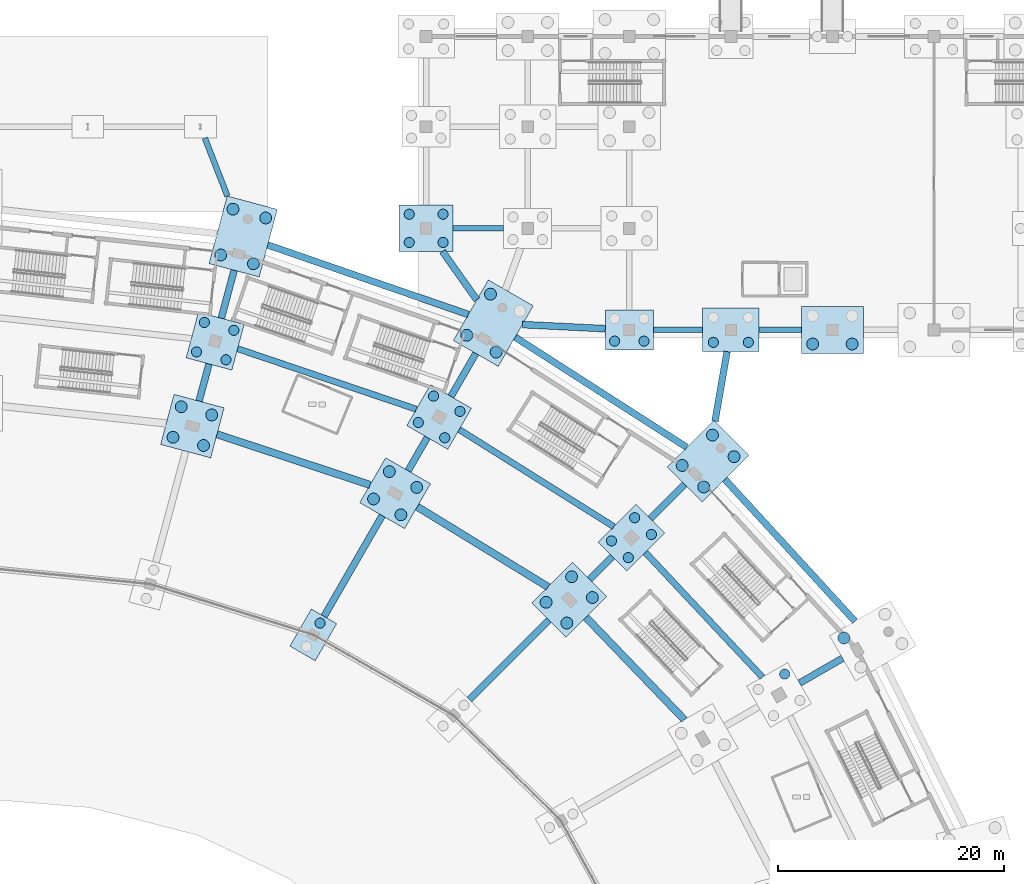
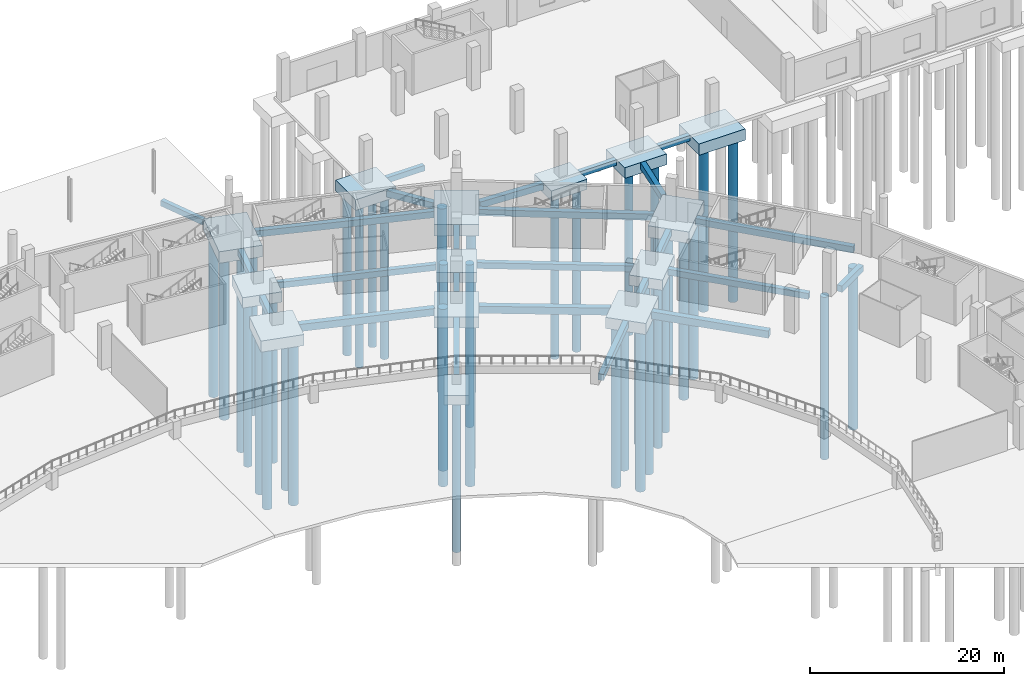
# One storey, part 13 of 103: 48 piles, 39 footings.
"""IFC4 building model written with IfcOpenShell, lengths in metres."""

from ifc_helpers import new_model, si_unit, direction, frame, origin, origin_2d, place, context, subcontext, project, spatial, rectangle, circle, extrude, material, material_profile, profile_set, type_object, element, save


model = new_model("IFC4")

# Units and contexts
model_context = context("Model", 3, precision=1e-05, world=origin(), true_north=direction((0.0, 1.0)))
body_context = subcontext(model_context, "Body", "Model", "MODEL_VIEW")
ifc_project = project(units=[si_unit("LENGTHUNIT", "METRE"), si_unit("AREAUNIT", "SQUARE_METRE"), si_unit("VOLUMEUNIT", "CUBIC_METRE"), si_unit("PLANEANGLEUNIT", "RADIAN"), si_unit("MASSUNIT", "GRAM", prefix="KILO")], contexts=[model_context])

# Site, building, storey
site_placement = place(None, origin())
site = spatial("IfcSite", under=ifc_project, at=site_placement, CompositionType="ELEMENT")
building_placement = place(site_placement, origin())
building = spatial("IfcBuilding", under=site, at=building_placement, Name="Zevraka Park Crest Stadium", CompositionType="ELEMENT")
storey_placement = place(building_placement, origin())
storey = spatial("IfcBuildingStorey", under=building, at=storey_placement, Name="L00", CompositionType="ELEMENT", Elevation=0.0)

# Footings
ifc_material_1 = material(Name="Concrete C35/45", Category="concrete")
ifc_material_profile_1 = material_profile(ifc_material_1, rectangle(XDim=0.60009765625, YDim=0.800048828125, at=origin_2d()), Name="GB 800x600")
ifc_profile_set_1 = profile_set([ifc_material_profile_1], Name="Concrete C35/45")
footing_type_1 = type_object("IfcFootingType", Name="GB01", PredefinedType="FOOTING_BEAM", material=ifc_profile_set_1)
footing_1_placement = place(storey_placement, frame((185.093017578125, 126.699951171875, -0.75), z_axis=(0.866004457284, 0.500036278648, 0.0), x_axis=(-0.500036278648, 0.866004457284, 0.0)))
element("IfcFooting", 1, at=footing_1_placement, inside=storey, type_object=footing_type_1, Name="Ground Tie Beam GB01 RAD-CDE-02", PredefinedType="FOOTING_BEAM", context=body_context, shape_type="SweptSolid", body=[
    extrude(rectangle(XDim=0.60009765625, YDim=0.800048828125, at=origin_2d()), origin(), (0.0, 0.0, 1.0), 4.399658203125),
])
footing_2_placement = place(storey_placement, frame((189.99609375, 132.18603515625, -0.75), z_axis=(-0.675871136653, 0.737019814278, 0.0), x_axis=(-0.737019814278, -0.675871136653, 0.0)))
element("IfcFooting", 2, at=footing_2_placement, inside=storey, type_object=footing_type_1, Name="Ground Tie Beam GB01 CIR-DE-02", PredefinedType="FOOTING_BEAM", context=body_context, shape_type="SweptSolid", body=[
    extrude(rectangle(XDim=0.60009765625, YDim=0.800048828125, at=origin_2d()), origin(), (0.0, 0.0, 1.0), 17.05224609375),
])
footing_3_placement = place(storey_placement, frame((155.840087890625, 125.23388671875, -0.75), z_axis=(0.707094513227, 0.707119048933, 0.0), x_axis=(-0.707119048933, 0.707094513227, 0.0)))
element("IfcFooting", 3, at=footing_3_placement, inside=storey, type_object=footing_type_1, Name="Ground Tie Beam GB01 RAD-AB-03", PredefinedType="FOOTING_BEAM", context=body_context, shape_type="SweptSolid", body=[
    extrude(rectangle(XDim=0.60009765625, YDim=0.800048828125, at=origin_2d()), origin(), (0.0, 0.0, 1.0), 9.950439453125),
])
footing_4_placement = place(storey_placement, frame((166.48193359375, 135.8759765625, -0.75), z_axis=(0.707106781187, 0.707106781187, 0.0), x_axis=(-0.707106781187, 0.707106781187, 0.0)))
element("IfcFooting", 4, at=footing_4_placement, inside=storey, type_object=footing_type_1, Name="Ground Tie Beam GB01 RAD-BC-03", PredefinedType="FOOTING_BEAM", context=body_context, shape_type="SweptSolid", body=[
    extrude(rectangle(XDim=0.60009765625, YDim=0.800048828125, at=origin_2d()), origin(), (0.0, 0.0, 1.0), 2.875),
])
footing_5_placement = place(storey_placement, frame((171.8740234375, 141.26806640625, -0.75), z_axis=(0.707106781187, 0.707106781187, 0.0), x_axis=(-0.707106781187, 0.707106781187, 0.0)))
element("IfcFooting", 5, at=footing_5_placement, inside=storey, type_object=footing_type_1, Name="Ground Tie Beam GB01 RAD-CDE-03", PredefinedType="FOOTING_BEAM", context=body_context, shape_type="SweptSolid", body=[
    extrude(rectangle(XDim=0.60009765625, YDim=0.800048828125, at=origin_2d()), origin(), (0.0, 0.0, 1.0), 4.300537109375),
])
footing_6_placement = place(storey_placement, frame((175.087890625, 147.593994140625, -0.75), z_axis=(-0.841465111378, 0.540311453084, 0.0), x_axis=(-0.540311453084, -0.841465111378, 0.0)))
element("IfcFooting", 6, at=footing_6_placement, inside=storey, type_object=footing_type_1, Name="Ground Tie Beam GB01 CIR-DE-03", PredefinedType="FOOTING_BEAM", context=body_context, shape_type="SweptSolid", body=[
    extrude(rectangle(XDim=0.60009765625, YDim=0.800048828125, at=origin_2d()), origin(), (0.0, 0.0, 1.0), 18.063720703125),
])
footing_7_placement = place(storey_placement, frame((142.949951171875, 132.615966796875, -0.75), z_axis=(0.499965227428, 0.866045478808, 0.0), x_axis=(-0.866045478808, 0.499965227428, 0.0)))
element("IfcFooting", 7, at=footing_7_placement, inside=storey, type_object=footing_type_1, Name="Ground Tie Beam GB01 RAD-AB-04", PredefinedType="FOOTING_BEAM", context=body_context, shape_type="SweptSolid", body=[
    extrude(rectangle(XDim=0.60009765625, YDim=0.800048828125, at=origin_2d()), origin(), (0.0, 0.0, 1.0), 10.301025390625),
])
footing_8_placement = place(storey_placement, frame((150.39990234375, 145.52099609375, -0.75), z_axis=(0.500093339322, 0.865971507594, 0.0), x_axis=(-0.865971507594, 0.500093339322, 0.0)))
element("IfcFooting", 8, at=footing_8_placement, inside=storey, type_object=footing_type_1, Name="Ground Tie Beam GB01 RAD-BC-04", PredefinedType="FOOTING_BEAM", context=body_context, shape_type="SweptSolid", body=[
    extrude(rectangle(XDim=0.60009765625, YDim=0.800048828125, at=origin_2d()), origin(), (0.0, 0.0, 1.0), 3.399658203125),
])
footing_9_placement = place(storey_placement, frame((154.199951171875, 152.10302734375, -0.75), z_axis=(0.500036278648, 0.866004457284, 0.0), x_axis=(-0.866004457284, 0.500036278648, 0.0)))
element("IfcFooting", 9, at=footing_9_placement, inside=storey, type_object=footing_type_1, Name="Ground Tie Beam GB01 RAD-CDE-04", PredefinedType="FOOTING_BEAM", context=body_context, shape_type="SweptSolid", body=[
    extrude(rectangle(XDim=0.60009765625, YDim=0.800048828125, at=origin_2d()), origin(), (0.0, 0.0, 1.0), 4.399658203125),
])
footing_10_placement = place(storey_placement, frame((155.737060546875, 159.364990234375, -0.75), z_axis=(-0.944869347259, 0.327447578417, 0.0), x_axis=(-0.327447578417, -0.944869347259, 0.0)))
element("IfcFooting", 10, at=footing_10_placement, inside=storey, type_object=footing_type_1, Name="Ground Tie Beam GB01 CIR-DE-04", PredefinedType="FOOTING_BEAM", context=body_context, shape_type="SweptSolid", body=[
    extrude(rectangle(XDim=0.60009765625, YDim=0.800048828125, at=origin_2d()), origin(), (0.0, 0.0, 1.0), 18.808837890625),
])
footing_11_placement = place(storey_placement, frame((131.876953125, 151.695068359375, -0.75), z_axis=(0.258873676752, 0.965911186127, 0.0), x_axis=(-0.965911186127, 0.258873676752, 0.0)))
element("IfcFooting", 11, at=footing_11_placement, inside=storey, type_object=footing_type_1, Name="Ground Tie Beam GB01 RAD-BC-05", PredefinedType="FOOTING_BEAM", context=body_context, shape_type="SweptSolid", body=[
    extrude(rectangle(XDim=0.60009765625, YDim=0.800048828125, at=origin_2d()), origin(), (0.0, 0.0, 1.0), 3.39990234375),
])
footing_12_placement = place(storey_placement, frame((133.844970703125, 159.034912109375, -0.75), z_axis=(0.258639929506, 0.96597380237, 0.0), x_axis=(-0.96597380237, 0.258639929506, 0.0)))
element("IfcFooting", 12, at=footing_12_placement, inside=storey, type_object=footing_type_1, Name="Ground Tie Beam GB01 RAD-CDE-05", PredefinedType="FOOTING_BEAM", context=body_context, shape_type="SweptSolid", body=[
    extrude(rectangle(XDim=0.60009765625, YDim=0.800048828125, at=origin_2d()), origin(), (0.0, 0.0, 1.0), 4.399658203125),
])
footing_13_placement = place(storey_placement, frame((153.451904296875, 164.949951171875, -0.75), z_axis=(0.577930919409, -0.816085689368, 0.0), x_axis=(0.816085689368, 0.577930919409, 0.0)))
element("IfcFooting", 13, at=footing_13_placement, inside=storey, type_object=footing_type_1, Name="Ground Tie Beam GB01 WTIE-17-U", PredefinedType="FOOTING_BEAM", context=body_context, shape_type="SweptSolid", body=[
    extrude(rectangle(XDim=0.60009765625, YDim=0.800048828125, at=origin_2d()), origin(), (0.0, 0.0, 1.0), 5.251708984375),
])
footing_14_placement = place(storey_placement, frame((167.875, 158.10498046875, -0.75), z_axis=(-0.99876695331, 0.049644465711, 0.0), x_axis=(-0.049644465711, -0.99876695331, 0.0)))
element("IfcFooting", 14, at=footing_14_placement, inside=storey, type_object=footing_type_1, Name="Ground Tie Beam GB01 WTIE-19-T", PredefinedType="FOOTING_BEAM", context=body_context, shape_type="SweptSolid", body=[
    extrude(rectangle(XDim=0.60009765625, YDim=0.800048828125, at=origin_2d()), origin(), (0.0, 0.0, 1.0), 7.35205078125),
])
footing_15_placement = place(storey_placement, frame((178.666015625, 156.074951171875, -0.75), z_axis=(-0.170954694411, -0.9852788907, 0.0), x_axis=(0.9852788907, -0.170954694411, 0.0)))
element("IfcFooting", 15, at=footing_15_placement, inside=storey, type_object=footing_type_1, Name="Ground Tie Beam GB01 WTIE-20-T", PredefinedType="FOOTING_BEAM", context=body_context, shape_type="SweptSolid", body=[
    extrude(rectangle(XDim=0.60009765625, YDim=0.800048828125, at=origin_2d()), origin(), (0.0, 0.0, 1.0), 6.26513671875),
])
ifc_material_2 = material(Name="Concrete C35/45", Category="concrete")
ifc_material_profile_2 = material_profile(ifc_material_2, rectangle(XDim=0.5, YDim=0.699951171875, at=origin_2d()), Name="GB 700x500")
ifc_profile_set_2 = profile_set([ifc_material_profile_2], Name="Concrete C35/45")
footing_type_2 = type_object("IfcFootingType", Name="GB02", PredefinedType="FOOTING_BEAM", material=ifc_profile_set_2)
footing_16_placement = place(storey_placement, frame((154.39990234375, 167.0, -0.699951171875), z_axis=(1.0, 0.0, 0.0), x_axis=(0.0, 1.0, 0.0)))
element("IfcFooting", 16, at=footing_16_placement, inside=storey, type_object=footing_type_2, Name="Ground Tie Beam GB02 WX-17-U", PredefinedType="FOOTING_BEAM", context=body_context, shape_type="SweptSolid", body=[
    extrude(rectangle(XDim=0.5, YDim=0.699951171875, at=origin_2d()), origin(), (0.0, 0.0, 1.0), 4.47509765625),
])
footing_17_placement = place(storey_placement, frame((172.125, 158.0, -0.699951171875), z_axis=(1.0, 0.0, 0.0), x_axis=(0.0, 1.0, 0.0)))
element("IfcFooting", 17, at=footing_17_placement, inside=storey, type_object=footing_type_2, Name="Ground Tie Beam GB02 WX-19-T", PredefinedType="FOOTING_BEAM", context=body_context, shape_type="SweptSolid", body=[
    extrude(rectangle(XDim=0.5, YDim=0.699951171875, at=origin_2d()), origin(), (0.0, 0.0, 1.0), 4.375),
])
footing_18_placement = place(storey_placement, frame((181.5, 158.0, -0.699951171875), z_axis=(1.0, 0.0, 0.0), x_axis=(0.0, 1.0, 0.0)))
element("IfcFooting", 18, at=footing_18_placement, inside=storey, type_object=footing_type_2, Name="Ground Tie Beam GB02 WX-20-T", PredefinedType="FOOTING_BEAM", context=body_context, shape_type="SweptSolid", body=[
    extrude(rectangle(XDim=0.5, YDim=0.699951171875, at=origin_2d()), origin(), (0.0, 0.0, 1.0), 3.75),
])
footing_19_placement = place(storey_placement, frame((132.388916015625, 175.0, -0.699951171875), z_axis=(0.362901342111, -0.931827567683, 0.0), x_axis=(0.931827567683, 0.362901342111, 0.0)))
element("IfcFooting", 19, at=footing_19_placement, inside=storey, type_object=footing_type_2, Name="Ground Tie Beam GB02 PADN-E", PredefinedType="FOOTING_BEAM", context=body_context, shape_type="SweptSolid", body=[
    extrude(rectangle(XDim=0.5, YDim=0.699951171875, at=origin_2d()), origin(), (0.0, 0.0, 1.0), 5.513916015625),
])
ifc_material_3 = material(Name="Concrete C35/45", Category="concrete")
ifc_material_profile_3 = material_profile(ifc_material_3, rectangle(XDim=0.64990234375, YDim=0.89990234375, at=origin_2d()), Name="GB 900x650")
ifc_profile_set_3 = profile_set([ifc_material_profile_3], Name="Concrete C35/45")
footing_type_3 = type_object("IfcFootingType", Name="GB03", PredefinedType="FOOTING_BEAM", material=ifc_profile_set_3)
footing_20_placement = place(storey_placement, frame((174.8779296875, 123.4580078125, -0.800048828125), z_axis=(-0.692845501085, 0.721086063952, 0.0), x_axis=(-0.721086063952, -0.692845501085, 0.0)))
element("IfcFooting", 20, at=footing_20_placement, inside=storey, type_object=footing_type_3, Name="Ground Tie Beam GB03 CIR-B-02", PredefinedType="FOOTING_BEAM", context=body_context, shape_type="SweptSolid", body=[
    extrude(rectangle(XDim=0.64990234375, YDim=0.89990234375, at=origin_2d()), origin(), (0.0, 0.0, 1.0), 12.56982421875),
])
footing_21_placement = place(storey_placement, frame((162.7939453125, 135.22802734375, -0.800048828125), z_axis=(-0.852594278308, 0.522573436559, 0.0), x_axis=(-0.522573436559, -0.852594278308, 0.0)))
element("IfcFooting", 21, at=footing_21_placement, inside=storey, type_object=footing_type_3, Name="Ground Tie Beam GB03 CIR-B-03", PredefinedType="FOOTING_BEAM", context=body_context, shape_type="SweptSolid", body=[
    extrude(rectangle(XDim=0.64990234375, YDim=0.89990234375, at=origin_2d()), origin(), (0.0, 0.0, 1.0), 13.58447265625),
])
footing_22_placement = place(storey_placement, frame((147.02001953125, 144.26708984375, -0.800048828125), z_axis=(-0.94941794929, 0.314015218684, 0.0), x_axis=(-0.314015218684, -0.94941794929, 0.0)))
element("IfcFooting", 22, at=footing_22_placement, inside=storey, type_object=footing_type_3, Name="Ground Tie Beam GB03 CIR-B-04", PredefinedType="FOOTING_BEAM", context=body_context, shape_type="SweptSolid", body=[
    extrude(rectangle(XDim=0.64990234375, YDim=0.89990234375, at=origin_2d()), origin(), (0.0, 0.0, 1.0), 14.27294921875),
])
ifc_material_4 = material(Name="Concrete C35/45", Category="concrete")
ifc_material_profile_4 = material_profile(ifc_material_4, rectangle(XDim=0.550048828125, YDim=0.75, at=origin_2d()), Name="GB 750x550")
ifc_profile_set_4 = profile_set([ifc_material_profile_4], Name="Concrete C35/45")
footing_type_4 = type_object("IfcFootingType", Name="GB04", PredefinedType="FOOTING_BEAM", material=ifc_profile_set_4)
footing_23_placement = place(storey_placement, frame((181.798095703125, 127.222900390625, -0.72509765625), z_axis=(-0.684286663636, 0.729213111491, 0.0), x_axis=(-0.729213111491, -0.684286663636, 0.0)))
element("IfcFooting", 23, at=footing_23_placement, inside=storey, type_object=footing_type_4, Name="Ground Tie Beam GB04 CIR-C-02", PredefinedType="FOOTING_BEAM", context=body_context, shape_type="SweptSolid", body=[
    extrude(rectangle(XDim=0.550048828125, YDim=0.75, at=origin_2d()), origin(), (0.0, 0.0, 1.0), 15.156005859375),
])
footing_24_placement = place(storey_placement, frame((168.631103515625, 140.569091796875, -0.72509765625), z_axis=(-0.847033648329, 0.531539272865, 0.0), x_axis=(-0.531539272865, -0.847033648329, 0.0)))
element("IfcFooting", 24, at=footing_24_placement, inside=storey, type_object=footing_type_4, Name="Ground Tie Beam GB04 CIR-C-03", PredefinedType="FOOTING_BEAM", context=body_context, shape_type="SweptSolid", body=[
    extrude(rectangle(XDim=0.550048828125, YDim=0.75, at=origin_2d()), origin(), (0.0, 0.0, 1.0), 16.175537109375),
])
footing_25_placement = place(storey_placement, frame((151.1220703125, 150.970947265625, -0.72509765625), z_axis=(-0.947145577983, 0.32080407433, 0.0), x_axis=(-0.32080407433, -0.947145577983, 0.0)))
element("IfcFooting", 25, at=footing_25_placement, inside=storey, type_object=footing_type_4, Name="Ground Tie Beam GB04 CIR-C-04", PredefinedType="FOOTING_BEAM", context=body_context, shape_type="SweptSolid", body=[
    extrude(rectangle(XDim=0.550048828125, YDim=0.75, at=origin_2d()), origin(), (0.0, 0.0, 1.0), 16.71142578125),
])
ifc_material_5 = material(Name="Concrete C35/45", Category="concrete")
footing_type_5 = type_object("IfcFootingType", Name="PC01", PredefinedType="PILE_CAP", material=ifc_material_5)
footing_26_placement = place(storey_placement, frame((142.0, 130.970947265625, -1.5498046875), z_axis=(0.0, 0.0, 1.0), x_axis=(0.5, 0.866025403784, 0.0)))
element("IfcFooting", 26, at=footing_26_placement, inside=storey, type_object=footing_type_5, Name="Foundation PC01 A-04", PredefinedType="PILE_CAP", context=body_context, shape_type="SweptSolid", body=[
    extrude(rectangle(XDim=3.800048828125, YDim=2.60009765625, at=origin_2d()), origin(), (0.0, 0.0, 1.0), 1.199951171875),
])
ifc_material_6 = material(Name="Concrete C35/45", Category="concrete")
footing_type_6 = type_object("IfcFootingType", Name="PC03", PredefinedType="PILE_CAP", material=ifc_material_6)
for number, where, z_axis, x_axis, name in (
    (27, (149.25, 143.529052734375, -1.75), (0.0, 0.0, 1.0), (0.5, 0.866025403784, 0.0), "Foundation PC03 B-04"),
    (28, (131.281982421875, 149.472900390625, -1.75), (0.0, 0.0, 1.0), (0.258819045103, 0.965925826289, 0.0), "Foundation PC03 B-05"),
):
    element("IfcFooting", number, at=place(storey_placement, frame(where, z_axis=z_axis, x_axis=x_axis)), inside=storey, type_object=footing_type_6, Name=name, PredefinedType="PILE_CAP", context=body_context, shape_type="SweptSolid", body=[
        extrude(rectangle(XDim=4.60009765625, YDim=4.60009765625, at=origin_2d()), origin(), (0.0, 0.0, 1.0), 1.39990234375),
    ])
ifc_material_7 = material(Name="Concrete C35/45", Category="concrete")
footing_type_7 = type_object("IfcFootingType", Name="PC05", PredefinedType="PILE_CAP", material=ifc_material_7)
for number, where, z_axis, x_axis, name in (
    (29, (153.14990234375, 150.283935546875, -1.64990234375), (0.0, 0.0, 1.0), (0.5, 0.866025403784, 0.0), "Foundation PC05 C-04"),
    (30, (133.301025390625, 157.007080078125, -1.64990234375), (0.0, 0.0, 1.0), (0.258819045103, 0.965925826289, 0.0), "Foundation PC05 C-05"),
):
    element("IfcFooting", number, at=place(storey_placement, frame(where, z_axis=z_axis, x_axis=x_axis)), inside=storey, type_object=footing_type_7, Name=name, PredefinedType="PILE_CAP", context=body_context, shape_type="SweptSolid", body=[
        extrude(rectangle(XDim=4.199951171875, YDim=4.199951171875, at=origin_2d()), origin(), (0.0, 0.0, 1.0), 1.300048828125),
    ])
ifc_material_8 = material(Name="Concrete C35/45", Category="concrete")
footing_type_8 = type_object("IfcFootingType", Name="PC07", PredefinedType="PILE_CAP", material=ifc_material_8)
for number, where, z_axis, x_axis, name in (
    (31, (157.949951171875, 158.597900390625, -1.7998046875), (0.0, 0.0, 1.0), (0.5, 0.866025403784, 0.0), "Foundation PC07 DE-04"),
    (32, (135.785888671875, 166.279052734375, -1.7998046875), (0.0, 0.0, 1.0), (0.258819045103, 0.965925826289, 0.0), "Foundation PC07 DE-05"),
):
    element("IfcFooting", number, at=place(storey_placement, frame(where, z_axis=z_axis, x_axis=x_axis)), inside=storey, type_object=footing_type_8, Name=name, PredefinedType="PILE_CAP", context=body_context, shape_type="SweptSolid", body=[
        extrude(rectangle(XDim=6.199951171875, YDim=4.60009765625, at=origin_2d()), origin(), (0.0, 0.0, 1.0), 1.449951171875),
    ])
ifc_material_9 = material(Name="Concrete C35/45", Category="concrete")
footing_type_9 = type_object("IfcFootingType", Name="PC13", PredefinedType="PILE_CAP", material=ifc_material_9)
footing_27_placement = place(storey_placement, frame((170.195068359375, 139.587890625, -1.64990234375), z_axis=(0.0, 0.0, 1.0), x_axis=(0.707106781187, 0.707106781187, 0.0)))
element("IfcFooting", 33, at=footing_27_placement, inside=storey, type_object=footing_type_9, Name="Foundation PC13 C-03", PredefinedType="PILE_CAP", context=body_context, shape_type="SweptSolid", body=[
    extrude(rectangle(XDim=4.75, YDim=3.60009765625, at=origin_2d()), origin(), (0.0, 0.0, 1.0), 1.300048828125),
])
ifc_material_10 = material(Name="Concrete C35/45", Category="concrete")
footing_type_10 = type_object("IfcFootingType", Name="PC14", PredefinedType="PILE_CAP", material=ifc_material_10)
footing_28_placement = place(storey_placement, frame((164.678955078125, 134.072998046875, -1.75), z_axis=(0.0, 0.0, 1.0), x_axis=(0.707106781187, 0.707106781187, 0.0)))
element("IfcFooting", 34, at=footing_28_placement, inside=storey, type_object=footing_type_10, Name="Foundation PC14 B-03", PredefinedType="PILE_CAP", context=body_context, shape_type="SweptSolid", body=[
    extrude(rectangle(XDim=5.10009765625, YDim=4.300048828125, at=origin_2d()), origin(), (0.0, 0.0, 1.0), 1.39990234375),
])
ifc_material_11 = material(Name="Concrete C35/45", Category="concrete")
footing_type_11 = type_object("IfcFootingType", Name="PC15", PredefinedType="PILE_CAP", material=ifc_material_11)
footing_29_placement = place(storey_placement, frame((176.98291015625, 146.376953125, -1.7998046875), z_axis=(0.0, 0.0, 1.0), x_axis=(0.707106781187, 0.707106781187, 0.0)))
element("IfcFooting", 35, at=footing_29_placement, inside=storey, type_object=footing_type_11, Name="Foundation PC15 DE-03", PredefinedType="PILE_CAP", context=body_context, shape_type="SweptSolid", body=[
    extrude(rectangle(XDim=5.85009765625, YDim=4.39990234375, at=origin_2d()), origin(), (0.0, 0.0, 1.0), 1.449951171875),
])
ifc_material_12 = material(Name="Concrete C35/45", Category="concrete")
footing_type_12 = type_object("IfcFootingType", Name="PC20", PredefinedType="PILE_CAP", material=ifc_material_12)
footing_30_placement = place(storey_placement, frame((152.0, 167.0, -1.699951171875), z_axis=(0.0, 0.0, 1.0), x_axis=(1.0, 0.0, 0.0)))
element("IfcFooting", 36, at=footing_30_placement, inside=storey, type_object=footing_type_12, Name="Foundation PC20 W-17-U", PredefinedType="PILE_CAP", context=body_context, shape_type="SweptSolid", body=[
    extrude(rectangle(XDim=4.800048828125, YDim=4.10009765625, at=origin_2d()), origin(), (0.0, 0.0, 1.0), 1.35009765625),
])
ifc_material_13 = material(Name="Concrete C35/45", Category="concrete")
footing_type_13 = type_object("IfcFootingType", Name="PC21", PredefinedType="PILE_CAP", material=ifc_material_13)
footing_31_placement = place(storey_placement, frame((170.0, 158.0, -1.6298828125), z_axis=(0.0, 0.0, 1.0), x_axis=(1.0, 0.0, 0.0)))
element("IfcFooting", 37, at=footing_31_placement, inside=storey, type_object=footing_type_13, Name="Foundation PC21 W-19-T", PredefinedType="PILE_CAP", context=body_context, shape_type="SweptSolid", body=[
    extrude(rectangle(XDim=4.25, YDim=3.550048828125, at=origin_2d()), origin(), (0.0, 0.0, 1.0), 1.280029296875),
])
ifc_material_14 = material(Name="Concrete C35/45", Category="concrete")
footing_type_14 = type_object("IfcFootingType", Name="PC22", PredefinedType="PILE_CAP", material=ifc_material_14)
footing_32_placement = place(storey_placement, frame((179.0, 158.0, -1.7099609375), z_axis=(0.0, 0.0, 1.0), x_axis=(1.0, 0.0, 0.0)))
element("IfcFooting", 38, at=footing_32_placement, inside=storey, type_object=footing_type_14, Name="Foundation PC22 W-20-T", PredefinedType="PILE_CAP", context=body_context, shape_type="SweptSolid", body=[
    extrude(rectangle(XDim=5.0, YDim=3.85009765625, at=origin_2d()), origin(), (0.0, 0.0, 1.0), 1.360107421875),
])
ifc_material_15 = material(Name="Concrete C35/45", Category="concrete")
footing_type_15 = type_object("IfcFootingType", Name="PC23", PredefinedType="PILE_CAP", material=ifc_material_15)
footing_33_placement = place(storey_placement, frame((188.0, 158.0, -1.77001953125), z_axis=(0.0, 0.0, 1.0), x_axis=(1.0, 0.0, 0.0)))
element("IfcFooting", 39, at=footing_33_placement, inside=storey, type_object=footing_type_15, Name="Foundation PC23 W-21-T", PredefinedType="PILE_CAP", context=body_context, shape_type="SweptSolid", body=[
    extrude(rectangle(XDim=5.5, YDim=4.14990234375, at=origin_2d()), origin(), (0.0, 0.0, 1.0), 1.419921875),
])

# Piles
ifc_material_16 = material(Name="Concrete C35/45", Category="concrete")
ifc_material_profile_5 = material_profile(ifc_material_16, circle(Radius=0.449951171875, at=origin_2d()), Name="PILE D900")
ifc_profile_set_5 = profile_set([ifc_material_profile_5], Name="Concrete C35/45")
pile_type_1 = type_object("IfcPileType", Name="PL01", PredefinedType="BORED", material=ifc_profile_set_5)
for number, where, z_axis, x_axis, name in (
    (40, (183.76806640625, 127.493896484375, -1.550048828125), (0.0, 0.0, -1.0), (1.0, 0.0, 0.0), "Bored Pile PL01 C-02-4"),
    (41, (169.912109375, 137.820068359375, -1.550048828125), (0.0, 0.0, -1.0), (1.0, 0.0, 0.0), "Bored Pile PL01 C-03-1"),
    (42, (171.962890625, 139.87109375, -1.550048828125), (0.0, 0.0, -1.0), (1.0, 0.0, 0.0), "Bored Pile PL01 C-03-2"),
    (43, (168.427001953125, 139.304931640625, -1.550048828125), (0.0, 0.0, -1.0), (1.0, 0.0, 0.0), "Bored Pile PL01 C-03-3"),
    (44, (170.47802734375, 141.35595703125, -1.550048828125), (0.0, 0.0, -1.0), (1.0, 0.0, 0.0), "Bored Pile PL01 C-03-4"),
):
    element("IfcPile", number, at=place(storey_placement, frame(where, z_axis=z_axis, x_axis=x_axis)), inside=storey, type_object=pile_type_1, Name=name, PredefinedType="BORED", context=body_context, shape_type="SweptSolid", body=[
        extrude(circle(Radius=0.449951171875, at=origin_2d()), origin(), (0.0, 0.0, 1.0), 20.449951171875),
    ])
pile_1_placement = place(storey_placement, frame((142.60009765625, 132.010009765625, -1.449951171875), z_axis=(0.0, 0.0, -1.0), x_axis=(1.0, 0.0, 0.0)))
element("IfcPile", 45, at=pile_1_placement, inside=storey, type_object=pile_type_1, Name="Bored Pile PL01 A-04-2", PredefinedType="BORED", context=body_context, shape_type="SweptSolid", body=[
    extrude(circle(Radius=0.449951171875, at=origin_2d()), origin(), (0.0, 0.0, 1.0), 20.550048828125),
])
for number, where, z_axis, x_axis, name in (
    (46, (153.64404296875, 148.43994140625, -1.550048828125), (0.0, 0.0, -1.0), (1.0, 0.0, 0.0), "Bored Pile PL01 C-04-1"),
    (47, (154.993896484375, 150.778076171875, -1.550048828125), (0.0, 0.0, -1.0), (1.0, 0.0, 0.0), "Bored Pile PL01 C-04-2"),
    (48, (151.305908203125, 149.7900390625, -1.550048828125), (0.0, 0.0, -1.0), (1.0, 0.0, 0.0), "Bored Pile PL01 C-04-3"),
    (49, (152.656005859375, 152.1279296875, -1.550048828125), (0.0, 0.0, -1.0), (1.0, 0.0, 0.0), "Bored Pile PL01 C-04-4"),
    (50, (134.256103515625, 155.35400390625, -1.550048828125), (0.0, 0.0, -1.0), (1.0, 0.0, 0.0), "Bored Pile PL01 C-05-1"),
    (51, (134.9541015625, 157.9619140625, -1.550048828125), (0.0, 0.0, -1.0), (1.0, 0.0, 0.0), "Bored Pile PL01 C-05-2"),
    (52, (131.64794921875, 156.052001953125, -1.550048828125), (0.0, 0.0, -1.0), (1.0, 0.0, 0.0), "Bored Pile PL01 C-05-3"),
    (53, (132.345947265625, 158.659912109375, -1.550048828125), (0.0, 0.0, -1.0), (1.0, 0.0, 0.0), "Bored Pile PL01 C-05-4"),
):
    element("IfcPile", number, at=place(storey_placement, frame(where, z_axis=z_axis, x_axis=x_axis)), inside=storey, type_object=pile_type_1, Name=name, PredefinedType="BORED", context=body_context, shape_type="SweptSolid", body=[
        extrude(circle(Radius=0.449951171875, at=origin_2d()), origin(), (0.0, 0.0, 1.0), 20.449951171875),
    ])
for number, where, z_axis, x_axis, name in (
    (54, (150.5, 165.75, -1.60009765625), (0.0, 0.0, -1.0), (1.0, 0.0, 0.0), "Bored Pile PL01 W-17-U-1"),
    (55, (153.5, 165.75, -1.60009765625), (0.0, 0.0, -1.0), (1.0, 0.0, 0.0), "Bored Pile PL01 W-17-U-2"),
    (56, (150.5, 168.25, -1.60009765625), (0.0, 0.0, -1.0), (1.0, 0.0, 0.0), "Bored Pile PL01 W-17-U-3"),
    (57, (153.5, 168.25, -1.60009765625), (0.0, 0.0, -1.0), (1.0, 0.0, 0.0), "Bored Pile PL01 W-17-U-4"),
):
    element("IfcPile", number, at=place(storey_placement, frame(where, z_axis=z_axis, x_axis=x_axis)), inside=storey, type_object=pile_type_1, Name=name, PredefinedType="BORED", context=body_context, shape_type="SweptSolid", body=[
        extrude(circle(Radius=0.449951171875, at=origin_2d()), origin(), (0.0, 0.0, 1.0), 20.39990234375),
    ])
for number, where, z_axis, x_axis, name in (
    (58, (168.699951171875, 157.0, -1.530029296875), (0.0, 0.0, -1.0), (1.0, 0.0, 0.0), "Bored Pile PL01 W-19-T-1"),
    (59, (171.300048828125, 157.0, -1.530029296875), (0.0, 0.0, -1.0), (1.0, 0.0, 0.0), "Bored Pile PL01 W-19-T-2"),
):
    element("IfcPile", number, at=place(storey_placement, frame(where, z_axis=z_axis, x_axis=x_axis)), inside=storey, type_object=pile_type_1, Name=name, PredefinedType="BORED", context=body_context, shape_type="SweptSolid", body=[
        extrude(circle(Radius=0.449951171875, at=origin_2d()), origin(), (0.0, 0.0, 1.0), 20.469970703125),
    ])
for number, where, z_axis, x_axis, name in (
    (60, (177.449951171875, 156.89990234375, -1.610107421875), (0.0, 0.0, -1.0), (1.0, 0.0, 0.0), "Bored Pile PL01 W-20-T-1"),
    (61, (180.550048828125, 156.89990234375, -1.610107421875), (0.0, 0.0, -1.0), (1.0, 0.0, 0.0), "Bored Pile PL01 W-20-T-2"),
):
    element("IfcPile", number, at=place(storey_placement, frame(where, z_axis=z_axis, x_axis=x_axis)), inside=storey, type_object=pile_type_1, Name=name, PredefinedType="BORED", context=body_context, shape_type="SweptSolid", body=[
        extrude(circle(Radius=0.449951171875, at=origin_2d()), origin(), (0.0, 0.0, 1.0), 20.389892578125),
    ])
ifc_material_17 = material(Name="Concrete C35/45", Category="concrete")
ifc_material_profile_6 = material_profile(ifc_material_17, circle(Radius=0.52490234375, at=origin_2d()), Name="PILE D1050")
ifc_profile_set_6 = profile_set([ifc_material_profile_6], Name="Concrete C35/45")
pile_type_2 = type_object("IfcPileType", Name="PL02", PredefinedType="BORED", material=ifc_profile_set_6)
pile_2_placement = place(storey_placement, frame((189.01904296875, 130.698974609375, -1.699951171875), z_axis=(0.0, 0.0, -1.0), x_axis=(1.0, 0.0, 0.0)))
element("IfcPile", 62, at=pile_2_placement, inside=storey, type_object=pile_type_2, Name="Bored Pile PL02 DE-02-3", PredefinedType="BORED", context=body_context, shape_type="SweptSolid", body=[
    extrude(circle(Radius=0.52490234375, at=origin_2d()), origin(), (0.0, 0.0, 1.0), 20.300048828125),
])
for number, where, z_axis, x_axis, name in (
    (63, (164.467041015625, 132.02197265625, -1.64990234375), (0.0, 0.0, -1.0), (1.0, 0.0, 0.0), "Bored Pile PL02 B-03-1"),
    (64, (166.72998046875, 134.284912109375, -1.64990234375), (0.0, 0.0, -1.0), (1.0, 0.0, 0.0), "Bored Pile PL02 B-03-2"),
    (65, (162.6279296875, 133.861083984375, -1.64990234375), (0.0, 0.0, -1.0), (1.0, 0.0, 0.0), "Bored Pile PL02 B-03-3"),
    (66, (164.89111328125, 136.1240234375, -1.64990234375), (0.0, 0.0, -1.0), (1.0, 0.0, 0.0), "Bored Pile PL02 B-03-4"),
):
    element("IfcPile", number, at=place(storey_placement, frame(where, z_axis=z_axis, x_axis=x_axis)), inside=storey, type_object=pile_type_2, Name=name, PredefinedType="BORED", context=body_context, shape_type="SweptSolid", body=[
        extrude(circle(Radius=0.52490234375, at=origin_2d()), origin(), (0.0, 0.0, 1.0), 20.35009765625),
    ])
for number, where, z_axis, x_axis, name in (
    (67, (176.593994140625, 144.0791015625, -1.699951171875), (0.0, 0.0, -1.0), (1.0, 0.0, 0.0), "Bored Pile PL02 DE-03-1"),
    (68, (179.281005859375, 146.76611328125, -1.699951171875), (0.0, 0.0, -1.0), (1.0, 0.0, 0.0), "Bored Pile PL02 DE-03-2"),
    (69, (174.68505859375, 145.988037109375, -1.699951171875), (0.0, 0.0, -1.0), (1.0, 0.0, 0.0), "Bored Pile PL02 DE-03-3"),
    (70, (177.3720703125, 148.675048828125, -1.699951171875), (0.0, 0.0, -1.0), (1.0, 0.0, 0.0), "Bored Pile PL02 DE-03-4"),
):
    element("IfcPile", number, at=place(storey_placement, frame(where, z_axis=z_axis, x_axis=x_axis)), inside=storey, type_object=pile_type_2, Name=name, PredefinedType="BORED", context=body_context, shape_type="SweptSolid", body=[
        extrude(circle(Radius=0.52490234375, at=origin_2d()), origin(), (0.0, 0.0, 1.0), 20.300048828125),
    ])
for number, where, z_axis, x_axis, name in (
    (71, (149.761962890625, 141.616943359375, -1.64990234375), (0.0, 0.0, -1.0), (1.0, 0.0, 0.0), "Bored Pile PL02 B-04-1"),
    (72, (151.162109375, 144.041015625, -1.64990234375), (0.0, 0.0, -1.0), (1.0, 0.0, 0.0), "Bored Pile PL02 B-04-2"),
    (73, (147.337890625, 143.01708984375, -1.64990234375), (0.0, 0.0, -1.0), (1.0, 0.0, 0.0), "Bored Pile PL02 B-04-3"),
    (74, (148.738037109375, 145.44091796875, -1.64990234375), (0.0, 0.0, -1.0), (1.0, 0.0, 0.0), "Bored Pile PL02 B-04-4"),
):
    element("IfcPile", number, at=place(storey_placement, frame(where, z_axis=z_axis, x_axis=x_axis)), inside=storey, type_object=pile_type_2, Name=name, PredefinedType="BORED", context=body_context, shape_type="SweptSolid", body=[
        extrude(circle(Radius=0.52490234375, at=origin_2d()), origin(), (0.0, 0.0, 1.0), 20.35009765625),
    ])
for number, where, z_axis, x_axis, name in (
    (75, (158.198974609375, 156.029052734375, -1.699951171875), (0.0, 0.0, -1.0), (1.0, 0.0, 0.0), "Bored Pile PL02 DE-04-1"),
    (76, (155.60107421875, 157.529052734375, -1.699951171875), (0.0, 0.0, -1.0), (1.0, 0.0, 0.0), "Bored Pile PL02 DE-04-3"),
    (77, (157.700927734375, 161.1669921875, -1.699951171875), (0.0, 0.0, -1.0), (1.0, 0.0, 0.0), "Bored Pile PL02 DE-04-4"),
):
    element("IfcPile", number, at=place(storey_placement, frame(where, z_axis=z_axis, x_axis=x_axis)), inside=storey, type_object=pile_type_2, Name=name, PredefinedType="BORED", context=body_context, shape_type="SweptSolid", body=[
        extrude(circle(Radius=0.52490234375, at=origin_2d()), origin(), (0.0, 0.0, 1.0), 20.300048828125),
    ])
for number, where, z_axis, x_axis, name in (
    (78, (132.27197265625, 147.758056640625, -1.64990234375), (0.0, 0.0, -1.0), (1.0, 0.0, 0.0), "Bored Pile PL02 B-05-1"),
    (79, (132.9970703125, 150.462890625, -1.64990234375), (0.0, 0.0, -1.0), (1.0, 0.0, 0.0), "Bored Pile PL02 B-05-2"),
    (80, (129.56689453125, 148.48291015625, -1.64990234375), (0.0, 0.0, -1.0), (1.0, 0.0, 0.0), "Bored Pile PL02 B-05-3"),
    (81, (130.2919921875, 151.18798828125, -1.64990234375), (0.0, 0.0, -1.0), (1.0, 0.0, 0.0), "Bored Pile PL02 B-05-4"),
):
    element("IfcPile", number, at=place(storey_placement, frame(where, z_axis=z_axis, x_axis=x_axis)), inside=storey, type_object=pile_type_2, Name=name, PredefinedType="BORED", context=body_context, shape_type="SweptSolid", body=[
        extrude(circle(Radius=0.52490234375, at=origin_2d()), origin(), (0.0, 0.0, 1.0), 20.35009765625),
    ])
for number, where, z_axis, x_axis, name in (
    (82, (136.69091796875, 163.862060546875, -1.699951171875), (0.0, 0.0, -1.0), (1.0, 0.0, 0.0), "Bored Pile PL02 DE-05-1"),
    (83, (137.778076171875, 167.9189453125, -1.699951171875), (0.0, 0.0, -1.0), (1.0, 0.0, 0.0), "Bored Pile PL02 DE-05-2"),
    (84, (133.7939453125, 164.638916015625, -1.699951171875), (0.0, 0.0, -1.0), (1.0, 0.0, 0.0), "Bored Pile PL02 DE-05-3"),
    (85, (134.881103515625, 168.696044921875, -1.699951171875), (0.0, 0.0, -1.0), (1.0, 0.0, 0.0), "Bored Pile PL02 DE-05-4"),
):
    element("IfcPile", number, at=place(storey_placement, frame(where, z_axis=z_axis, x_axis=x_axis)), inside=storey, type_object=pile_type_2, Name=name, PredefinedType="BORED", context=body_context, shape_type="SweptSolid", body=[
        extrude(circle(Radius=0.52490234375, at=origin_2d()), origin(), (0.0, 0.0, 1.0), 20.300048828125),
    ])
for number, where, z_axis, x_axis, name in (
    (86, (186.25, 156.75, -1.669921875), (0.0, 0.0, -1.0), (1.0, 0.0, 0.0), "Bored Pile PL02 W-21-T-1"),
    (87, (189.75, 156.75, -1.669921875), (0.0, 0.0, -1.0), (1.0, 0.0, 0.0), "Bored Pile PL02 W-21-T-2"),
):
    element("IfcPile", number, at=place(storey_placement, frame(where, z_axis=z_axis, x_axis=x_axis)), inside=storey, type_object=pile_type_2, Name=name, PredefinedType="BORED", context=body_context, shape_type="SweptSolid", body=[
        extrude(circle(Radius=0.52490234375, at=origin_2d()), origin(), (0.0, 0.0, 1.0), 20.330078125),
    ])

save(model, "model.ifc")
